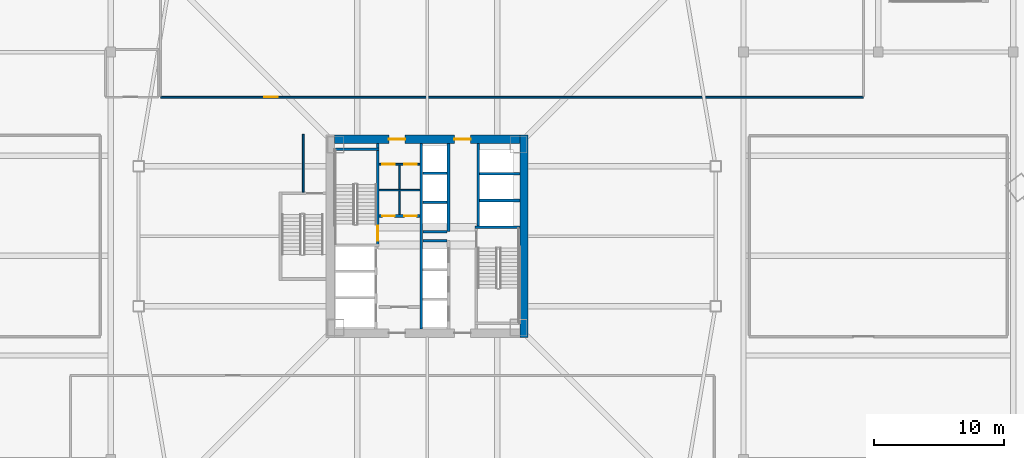
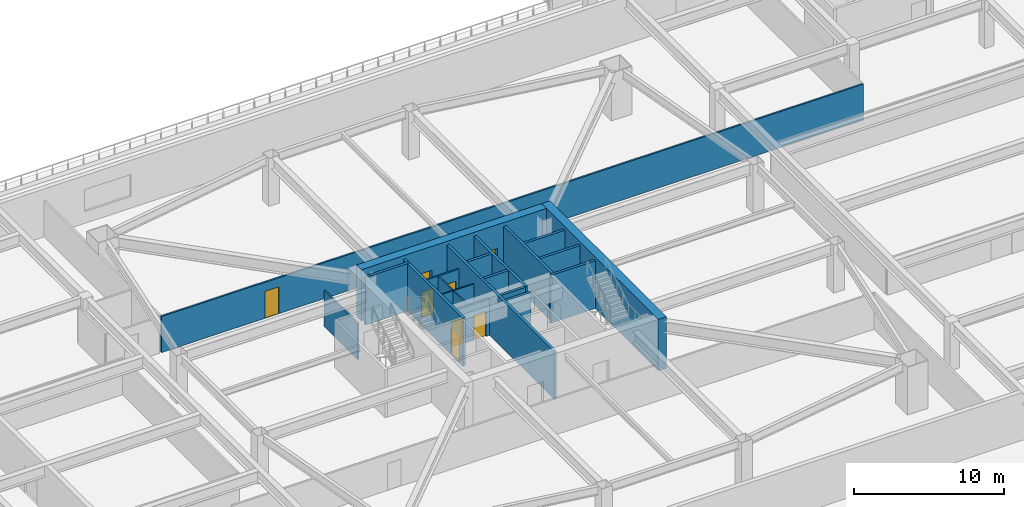
# One storey, part 6 of 20: 20 walls, 8 doors, 8 openings.
"""IFC4 building model written with IfcOpenShell, lengths in metres."""

from ifc_helpers import new_model, si_unit, direction, frame, frame_2d, origin, place, context, subcontext, project, spatial, rectangle, extrude, material, layer, layer_set, type_object, element, fill, save


model = new_model("IFC4")

# Units and contexts
model_context = context("Model", 3, precision=1e-05, world=origin(), true_north=direction((0.0, 1.0)))
body_context = subcontext(model_context, "Body", "Model", "MODEL_VIEW")
ifc_project = project(units=[si_unit("LENGTHUNIT", "METRE"), si_unit("AREAUNIT", "SQUARE_METRE"), si_unit("VOLUMEUNIT", "CUBIC_METRE"), si_unit("PLANEANGLEUNIT", "RADIAN"), si_unit("MASSUNIT", "GRAM", prefix="KILO")], contexts=[model_context])

# Site, building, storey
site_placement = place(None, origin())
site = spatial("IfcSite", under=ifc_project, at=site_placement, CompositionType="ELEMENT")
building_placement = place(site_placement, origin())
building = spatial("IfcBuilding", under=site, at=building_placement, Name="Tashvorn Skyway Center", CompositionType="ELEMENT")
storey_placement = place(building_placement, frame((0.0, 0.0, 15.60009765625)))
storey = spatial("IfcBuildingStorey", under=building, at=storey_placement, Name="L03", CompositionType="ELEMENT", Elevation=15.60009765625)

# Wall
ifc_material_1 = material(Name="Concrete C60/75", Category="concrete")
ifc_layer_1 = layer(ifc_material_1, 0.64990234375)
ifc_layer_set_1 = layer_set([ifc_layer_1], Name="Concrete C60/75")
wall_type_1 = type_object("IfcWallType", Name="WALL-CORE-650", PredefinedType="SHEAR", material=ifc_layer_set_1)
wall_1_placement = place(storey_placement, frame((49.47509765625, 39.800048828125, 0.0), z_axis=(0.0, 0.0, 1.0), x_axis=(0.0, -1.0, 0.0)))
element("IfcWall", 1, at=wall_1_placement, inside=storey, type_object=wall_type_1, Name="Tower 1 L03 East Core Shear Wall", PredefinedType="SHEAR", context=body_context, shape_type="SweptSolid", body=[
    extrude(rectangle(XDim=15.60009765625, YDim=0.64990234375, at=frame_2d((7.800048828125, 0.0))), origin(), (0.0, 0.0, 1.0), 4.199951171875),
])

# Wall, openings, doors
wall_2_placement = place(storey_placement, frame((34.85009765625, 39.47509765625, 0.0), z_axis=(0.0, 0.0, 1.0), x_axis=(1.0, 0.0, 0.0)))
wall_2 = element("IfcWall", 2, at=wall_2_placement, inside=storey, type_object=wall_type_1, Name="Tower 1 L03 North Core Shear Wall", PredefinedType="SHEAR", context=body_context, shape_type="SweptSolid", body=[
    extrude(rectangle(XDim=14.2998046875, YDim=0.64990234375, at=frame_2d((7.14990234375, 0.0))), origin(), (0.0, 0.0, 1.0), 4.199951171875),
])
opening_1_placement = place(wall_2_placement, frame((4.199951171875, 0.0, 0.0)))
opening_1 = element("IfcOpeningElement", 3, at=opening_1_placement, cuts=wall_2, Name="Opening D-FFL-1250", PredefinedType="OPENING", context=body_context, shape_type="SweptSolid", body=[
    extrude(rectangle(XDim=1.25, YDim=2.25, at=frame_2d((0.625, 1.125))), frame((0.0, 0.3349609375, 0.0), z_axis=(0.0, -1.0, 0.0), x_axis=(1.0, 0.0, 0.0)), (0.0, 0.0, 1.0), 0.669921875),
])
opening_2_placement = place(wall_2_placement, frame((9.25, 0.0, 0.0)))
opening_2 = element("IfcOpeningElement", 4, at=opening_2_placement, cuts=wall_2, Name="Opening D-FFL-1250", PredefinedType="OPENING", context=body_context, shape_type="SweptSolid", body=[
    extrude(rectangle(XDim=1.25, YDim=2.25, at=frame_2d((0.625, 1.125))), frame((0.0, 0.3349609375, 0.0), z_axis=(0.0, -1.0, 0.0), x_axis=(1.0, 0.0, 0.0)), (0.0, 0.0, 1.0), 0.669921875),
])
ifc_material_2 = material(Name="Hollow galvanized steel fire door assembly", Category="steel")
door_type_1 = type_object("IfcDoorType", Name="DOOR-FFL-1250", OperationType="NOTDEFINED", PredefinedType="DOOR", material=ifc_material_2)
door_1_placement = place(opening_1_placement, origin())
door_1 = element("IfcDoor", 5, at=door_1_placement, inside=storey, type_object=door_type_1, Name="Tower 1 L03 Core North Service Lobby Door", OperationType="SINGLE_SWING_LEFT", OverallHeight=2.25, OverallWidth=1.25, PredefinedType="DOOR", context=body_context, shape_type="SweptSolid", body=[
    extrude(rectangle(XDim=1.25, YDim=2.25, at=frame_2d((0.625, 1.125))), frame((0.0, 0.02490234375, 0.0), z_axis=(0.0, -1.0, 0.0), x_axis=(1.0, 0.0, 0.0)), (0.0, 0.0, 1.0), 0.050048828125),
])
fill(opening_1, door_1)
door_2_placement = place(opening_2_placement, origin())
door_2 = element("IfcDoor", 6, at=door_2_placement, inside=storey, type_object=door_type_1, Name="Tower 1 L03 Core North Lift Lobby Door", OperationType="SINGLE_SWING_RIGHT", OverallHeight=2.25, OverallWidth=1.25, PredefinedType="DOOR", context=body_context, shape_type="SweptSolid", body=[
    extrude(rectangle(XDim=1.25, YDim=2.25, at=frame_2d((0.625, 1.125))), frame((0.0, 0.02490234375, 0.0), z_axis=(0.0, -1.0, 0.0), x_axis=(1.0, 0.0, 0.0)), (0.0, 0.0, 1.0), 0.050048828125),
])
fill(opening_2, door_2)

ifc_material_3 = material(Name="Concrete C40/50", Category="concrete")
ifc_layer_2 = layer(ifc_material_3, 0.219970703125)
ifc_layer_set_2 = layer_set([ifc_layer_2], Name="Concrete C40/50")
wall_type_2 = type_object("IfcWallType", Name="WALL-FFL-220", PredefinedType="SOLIDWALL", material=ifc_layer_set_2)
wall_3_placement = place(storey_placement, frame((38.300048828125, 33.56005859375, 0.0), z_axis=(0.0, 0.0, 1.0), x_axis=(1.0, 0.0, 0.0)))
wall_3 = element("IfcWall", 7, at=wall_3_placement, inside=storey, type_object=wall_type_2, Name="Tower 1 L03 Firefighting Lobby North Wall", PredefinedType="SOLIDWALL", context=body_context, shape_type="SweptSolid", body=[
    extrude(rectangle(XDim=3.14990234375, YDim=0.219970703125, at=frame_2d((1.574951171875, 0.0))), origin(), (0.0, 0.0, 1.0), 2.94287109375),
])
opening_3_placement = place(wall_3_placement, frame((0.25, 0.0, 0.0)))
opening_3 = element("IfcOpeningElement", 8, at=opening_3_placement, cuts=wall_3, Name="Opening D-RT-950", PredefinedType="OPENING", context=body_context, shape_type="SweptSolid", body=[
    extrude(rectangle(XDim=0.949951171875, YDim=2.050048828125, at=frame_2d((0.47509765625, 1.02490234375))), frame((0.0, 0.119873046875, 0.0), z_axis=(0.0, -1.0, 0.0), x_axis=(1.0, 0.0, 0.0)), (0.0, 0.0, 1.0), 0.239990234375),
])
opening_4_placement = place(wall_3_placement, frame((1.949951171875, 0.0, 0.0)))
opening_4 = element("IfcOpeningElement", 9, at=opening_4_placement, cuts=wall_3, Name="Opening D-RT-950", PredefinedType="OPENING", context=body_context, shape_type="SweptSolid", body=[
    extrude(rectangle(XDim=0.949951171875, YDim=2.050048828125, at=frame_2d((0.47509765625, 1.02490234375))), frame((0.0, 0.119873046875, 0.0), z_axis=(0.0, -1.0, 0.0), x_axis=(1.0, 0.0, 0.0)), (0.0, 0.0, 1.0), 0.239990234375),
])
door_type_2 = type_object("IfcDoorType", Name="DOOR-RATED-950", OperationType="NOTDEFINED", PredefinedType="DOOR", material=ifc_material_2)
door_3_placement = place(opening_3_placement, origin())
door_3 = element("IfcDoor", 10, at=door_3_placement, inside=storey, type_object=door_type_2, Name="Tower 1 L03 Core Mail Room Door", OperationType="SINGLE_SWING_LEFT", OverallHeight=2.050048828125, OverallWidth=0.949951171875, PredefinedType="DOOR", context=body_context, shape_type="SweptSolid", body=[
    extrude(rectangle(XDim=0.949951171875, YDim=2.050048828125, at=frame_2d((0.47509765625, 1.02490234375))), frame((0.0, 0.02490234375, 0.0), z_axis=(0.0, -1.0, 0.0), x_axis=(1.0, 0.0, 0.0)), (0.0, 0.0, 1.0), 0.050048828125),
])
fill(opening_3, door_3)
door_4_placement = place(opening_4_placement, origin())
door_4 = element("IfcDoor", 11, at=door_4_placement, inside=storey, type_object=door_type_2, Name="Tower 1 L03 Core Supply Closet Door", OperationType="SINGLE_SWING_RIGHT", OverallHeight=2.050048828125, OverallWidth=0.949951171875, PredefinedType="DOOR", context=body_context, shape_type="SweptSolid", body=[
    extrude(rectangle(XDim=0.949951171875, YDim=2.050048828125, at=frame_2d((0.47509765625, 1.02490234375))), frame((0.0, 0.02490234375, 0.0), z_axis=(0.0, -1.0, 0.0), x_axis=(1.0, 0.0, 0.0)), (0.0, 0.0, 1.0), 0.050048828125),
])
fill(opening_4, door_4)

# Wall
ifc_material_4 = material(Name="Gypsum board on cold-formed steel stud framing", Category="steel")
ifc_layer_3 = layer(ifc_material_4, 0.135009765625)
ifc_layer_set_3 = layer_set([ifc_layer_3], Name="Gypsum board on cold-formed steel stud framing")
wall_type_3 = type_object("IfcWallType", Name="WALL-PART-135", PredefinedType="PARTITIONING", material=ifc_layer_set_3)
wall_4_placement = place(storey_placement, frame((32.449951171875, 35.39990234375, 0.0), z_axis=(0.0, 0.0, 1.0), x_axis=(0.0, 1.0, 0.0)))
element("IfcWall", 12, at=wall_4_placement, inside=storey, type_object=wall_type_3, Name="Tower 1 L03 Stair 3 Access Corridor Wall", PredefinedType="PARTITIONING", context=body_context, shape_type="SweptSolid", body=[
    extrude(rectangle(XDim=4.4501953125, YDim=0.135009765625, at=frame_2d((2.22509765625, 0.0))), origin(), (0.0, 0.0, 1.0), 2.94287109375),
])

# Wall, opening, door
wall_5_placement = place(storey_placement, frame((21.449951171875, 42.719970703125, 0.0), z_axis=(0.0, 0.0, 1.0), x_axis=(1.0, 0.0, 0.0)))
wall_5 = element("IfcWall", 13, at=wall_5_placement, inside=storey, type_object=wall_type_3, Name="L03 North Suite Wall", PredefinedType="PARTITIONING", context=body_context, shape_type="SweptSolid", body=[
    extrude(rectangle(XDim=54.199951171875, YDim=0.135009765625, at=frame_2d((27.10009765625, 0.0))), origin(), (0.0, 0.0, 1.0), 2.94287109375),
])
opening_5_placement = place(wall_5_placement, frame((8.0, 0.0, 0.0)))
opening_5 = element("IfcOpeningElement", 14, at=opening_5_placement, cuts=wall_5, Name="Opening D-ACC-1050", PredefinedType="OPENING", context=body_context, shape_type="SweptSolid", body=[
    extrude(rectangle(XDim=1.050048828125, YDim=2.199951171875, at=frame_2d((0.52490234375, 1.10009765625))), frame((0.0, 0.077392578125, 0.0), z_axis=(0.0, -1.0, 0.0), x_axis=(1.0, 0.0, 0.0)), (0.0, 0.0, 1.0), 0.155029296875),
])
ifc_material_5 = material(Name="Solid-core architectural oak veneer door")
door_type_3 = type_object("IfcDoorType", Name="DOOR-ACC-1050", OperationType="NOTDEFINED", PredefinedType="DOOR", material=ifc_material_5)
door_5_placement = place(opening_5_placement, origin())
door_5 = element("IfcDoor", 15, at=door_5_placement, inside=storey, type_object=door_type_3, Name="L03 Digital Media Studio Door", OperationType="SINGLE_SWING_RIGHT", OverallHeight=2.199951171875, OverallWidth=1.050048828125, PredefinedType="DOOR", context=body_context, shape_type="SweptSolid", body=[
    extrude(rectangle(XDim=1.050048828125, YDim=2.199951171875, at=frame_2d((0.52490234375, 1.10009765625))), frame((0.0, 0.02490234375, 0.0), z_axis=(0.0, -1.0, 0.0), x_axis=(1.0, 0.0, 0.0)), (0.0, 0.0, 1.0), 0.050048828125),
])
fill(opening_5, door_5)

# Walls
ifc_layer_4 = layer(ifc_material_4, 0.110107421875)
ifc_layer_set_4 = layer_set([ifc_layer_4], Name="Gypsum board on cold-formed steel stud framing")
wall_type_4 = type_object("IfcWallType", Name="WALL-RATED-110", PredefinedType="PARTITIONING", material=ifc_layer_set_4)
wall_6_placement = place(storey_placement, frame((39.8798828125, 33.679931640625, 0.0), z_axis=(0.0, 0.0, 1.0), x_axis=(0.0, 1.0, 0.0)))
element("IfcWall", 16, at=wall_6_placement, inside=storey, type_object=wall_type_4, Name="Tower 1 L03 Core Cross Vertical", PredefinedType="PARTITIONING", context=body_context, shape_type="SweptSolid", body=[
    extrude(rectangle(XDim=3.800048828125, YDim=0.110107421875, at=frame_2d((1.89990234375, 0.0))), origin(), (0.0, 0.0, 1.0), 2.94287109375),
])
wall_7_placement = place(storey_placement, frame((38.300048828125, 35.550048828125, 0.0), z_axis=(0.0, 0.0, 1.0), x_axis=(1.0, 0.0, 0.0)))
element("IfcWall", 17, at=wall_7_placement, inside=storey, type_object=wall_type_4, Name="Tower 1 L03 Core Cross Horizontal", PredefinedType="PARTITIONING", context=body_context, shape_type="SweptSolid", body=[
    extrude(rectangle(XDim=3.14990234375, YDim=0.110107421875, at=frame_2d((1.574951171875, 0.0))), origin(), (0.0, 0.0, 1.0), 2.94287109375),
])

# Wall, openings, doors
ifc_layer_5 = layer(ifc_material_4, 0.135009765625)
ifc_layer_set_5 = layer_set([ifc_layer_5], Name="Gypsum board on cold-formed steel stud framing")
wall_type_5 = type_object("IfcWallType", Name="WALL-RATED-135", PredefinedType="PARTITIONING", material=ifc_layer_set_5)
wall_8_placement = place(storey_placement, frame((38.300048828125, 37.550048828125, 0.0), z_axis=(0.0, 0.0, 1.0), x_axis=(1.0, 0.0, 0.0)))
wall_8 = element("IfcWall", 18, at=wall_8_placement, inside=storey, type_object=wall_type_5, Name="Tower 1 L03 Core Service Lobby Wall", PredefinedType="PARTITIONING", context=body_context, shape_type="SweptSolid", body=[
    extrude(rectangle(XDim=3.14990234375, YDim=0.135009765625, at=frame_2d((1.574951171875, 0.0))), origin(), (0.0, 0.0, 1.0), 2.94287109375),
])
opening_6_placement = place(wall_8_placement, frame((0.25, 0.0, 0.0)))
opening_6 = element("IfcOpeningElement", 19, at=opening_6_placement, cuts=wall_8, Name="Opening D-RT-950", PredefinedType="OPENING", context=body_context, shape_type="SweptSolid", body=[
    extrude(rectangle(XDim=0.949951171875, YDim=2.050048828125, at=frame_2d((0.47509765625, 1.02490234375))), frame((0.0, 0.077392578125, 0.0), z_axis=(0.0, -1.0, 0.0), x_axis=(1.0, 0.0, 0.0)), (0.0, 0.0, 1.0), 0.155029296875),
])
opening_7_placement = place(wall_8_placement, frame((1.949951171875, 0.0, 0.0)))
opening_7 = element("IfcOpeningElement", 20, at=opening_7_placement, cuts=wall_8, Name="Opening D-RT-950", PredefinedType="OPENING", context=body_context, shape_type="SweptSolid", body=[
    extrude(rectangle(XDim=0.949951171875, YDim=2.050048828125, at=frame_2d((0.47509765625, 1.02490234375))), frame((0.0, 0.077392578125, 0.0), z_axis=(0.0, -1.0, 0.0), x_axis=(1.0, 0.0, 0.0)), (0.0, 0.0, 1.0), 0.155029296875),
])
door_6_placement = place(opening_6_placement, origin())
door_6 = element("IfcDoor", 21, at=door_6_placement, inside=storey, type_object=door_type_2, Name="Tower 1 L03 Core Cleaner Store Door", OperationType="SINGLE_SWING_LEFT", OverallHeight=2.050048828125, OverallWidth=0.949951171875, PredefinedType="DOOR", context=body_context, shape_type="SweptSolid", body=[
    extrude(rectangle(XDim=0.949951171875, YDim=2.050048828125, at=frame_2d((0.47509765625, 1.02490234375))), frame((0.0, 0.02490234375, 0.0), z_axis=(0.0, -1.0, 0.0), x_axis=(1.0, 0.0, 0.0)), (0.0, 0.0, 1.0), 0.050048828125),
])
fill(opening_6, door_6)
door_7_placement = place(opening_7_placement, origin())
door_7 = element("IfcDoor", 22, at=door_7_placement, inside=storey, type_object=door_type_2, Name="Tower 1 L03 Core Accessible WC Door", OperationType="SINGLE_SWING_RIGHT", OverallHeight=2.050048828125, OverallWidth=0.949951171875, PredefinedType="DOOR", context=body_context, shape_type="SweptSolid", body=[
    extrude(rectangle(XDim=0.949951171875, YDim=2.050048828125, at=frame_2d((0.47509765625, 1.02490234375))), frame((0.0, 0.02490234375, 0.0), z_axis=(0.0, -1.0, 0.0), x_axis=(1.0, 0.0, 0.0)), (0.0, 0.0, 1.0), 0.050048828125),
])
fill(opening_7, door_7)

# Walls
ifc_layer_6 = layer(ifc_material_3, 0.199951171875)
ifc_layer_set_6 = layer_set([ifc_layer_6], Name="Concrete C40/50")
wall_type_6 = type_object("IfcWallType", Name="WALL-SHAFT-200", PredefinedType="SOLIDWALL", material=ifc_layer_set_6)
for number, where, z_axis, x_axis, name in (
    (23, (46.050048828125, 34.75, 0.0), (0.0, 0.0, 1.0), (1.0, 0.0, 0.0), "Tower 1 L03 High-Rise Shaft Divider"),
    (24, (46.050048828125, 36.800048828125, 0.0), (0.0, 0.0, 1.0), (1.0, 0.0, 0.0), "Tower 1 L03 High-Rise Shaft Divider"),
):
    element("IfcWall", number, at=place(storey_placement, frame(where, z_axis=z_axis, x_axis=x_axis)), inside=storey, type_object=wall_type_6, Name=name, PredefinedType="SOLIDWALL", context=body_context, shape_type="SweptSolid", body=[
        extrude(rectangle(XDim=3.099853515625, YDim=0.199951171875, at=frame_2d((1.5498046875, 0.0))), origin(), (0.0, 0.0, 1.0), 3.89990234375),
    ])
wall_9_placement = place(storey_placement, frame((41.669921875, 31.64990234375, 0.0), z_axis=(0.0, 0.0, 1.0), x_axis=(1.0, 0.0, 0.0)))
element("IfcWall", 25, at=wall_9_placement, inside=storey, type_object=wall_type_6, Name="Tower 1 L03 Low-Rise Shaft Divider", PredefinedType="SOLIDWALL", context=body_context, shape_type="SweptSolid", body=[
    extrude(rectangle(XDim=1.880126953125, YDim=0.199951171875, at=frame_2d((0.93994140625, 0.0))), origin(), (0.0, 0.0, 1.0), 3.89990234375),
])
wall_10_placement = place(storey_placement, frame((43.64990234375, 32.35009765625, 0.0), z_axis=(0.0, 0.0, 1.0), x_axis=(0.0, 1.0, 0.0)))
element("IfcWall", 26, at=wall_10_placement, inside=storey, type_object=wall_type_6, Name="Tower 1 L03 Mid-Rise Core Wall", PredefinedType="SOLIDWALL", context=body_context, shape_type="SweptSolid", body=[
    extrude(rectangle(XDim=6.7998046875, YDim=0.199951171875, at=frame_2d((3.39990234375, 0.0))), origin(), (0.0, 0.0, 1.0), 3.89990234375),
])
for number, where, z_axis, x_axis, name in (
    (27, (41.669921875, 32.35009765625, 0.0), (0.0, 0.0, 1.0), (1.0, 0.0, 0.0), "Tower 1 L03 Mid-Rise Shaft Divider"),
    (28, (41.669921875, 34.60009765625, 0.0), (0.0, 0.0, 1.0), (1.0, 0.0, 0.0), "Tower 1 L03 Mid-Rise Shaft Divider"),
    (29, (41.669921875, 36.85009765625, 0.0), (0.0, 0.0, 1.0), (1.0, 0.0, 0.0), "Tower 1 L03 Mid-Rise Shaft Divider"),
):
    element("IfcWall", number, at=place(storey_placement, frame(where, z_axis=z_axis, x_axis=x_axis)), inside=storey, type_object=wall_type_6, Name=name, PredefinedType="SOLIDWALL", context=body_context, shape_type="SweptSolid", body=[
        extrude(rectangle(XDim=1.880126953125, YDim=0.199951171875, at=frame_2d((0.93994140625, 0.0))), origin(), (0.0, 0.0, 1.0), 3.89990234375),
    ])

# Wall, opening, door
ifc_layer_7 = layer(ifc_material_3, 0.199951171875)
ifc_layer_set_7 = layer_set([ifc_layer_7], Name="Concrete C40/50")
wall_type_7 = type_object("IfcWallType", Name="WALL-STSHF-200", PredefinedType="SHEAR", material=ifc_layer_set_7)
wall_11_placement = place(storey_placement, frame((38.199951171875, 31.199951171875, 0.0), z_axis=(0.0, 0.0, 1.0), x_axis=(0.0, 1.0, 0.0)))
wall_11 = element("IfcWall", 30, at=wall_11_placement, inside=storey, type_object=wall_type_7, Name="Tower 1 L03 Stair 1 Enclosure Wall", PredefinedType="SHEAR", context=body_context, shape_type="SweptSolid", body=[
    extrude(rectangle(XDim=7.949951171875, YDim=0.199951171875, at=frame_2d((3.97509765625, 0.0))), origin(), (0.0, 0.0, 1.0), 3.89990234375),
])
opening_8_placement = place(wall_11_placement, frame((0.449951171875, 0.0, 0.0)))
opening_8 = element("IfcOpeningElement", 31, at=opening_8_placement, cuts=wall_11, Name="Opening D-ST-1150", PredefinedType="OPENING", context=body_context, shape_type="SweptSolid", body=[
    extrude(rectangle(XDim=1.14990234375, YDim=2.199951171875, at=frame_2d((0.574951171875, 1.10009765625))), frame((0.0, 0.10986328125, 0.0), z_axis=(0.0, -1.0, 0.0), x_axis=(1.0, 0.0, 0.0)), (0.0, 0.0, 1.0), 0.219970703125),
])
door_type_4 = type_object("IfcDoorType", Name="DOOR-STAIR-1150", OperationType="NOTDEFINED", PredefinedType="DOOR", material=ifc_material_2)
door_8_placement = place(opening_8_placement, origin())
door_8 = element("IfcDoor", 32, at=door_8_placement, inside=storey, type_object=door_type_4, Name="Tower 1 L03 Exit Stair 1 Door", OperationType="SINGLE_SWING_RIGHT", OverallHeight=2.199951171875, OverallWidth=1.14990234375, PredefinedType="DOOR", context=body_context, shape_type="SweptSolid", body=[
    extrude(rectangle(XDim=1.14990234375, YDim=2.199951171875, at=frame_2d((0.574951171875, 1.10009765625))), frame((0.0, 0.02490234375, 0.0), z_axis=(0.0, -1.0, 0.0), x_axis=(1.0, 0.0, 0.0)), (0.0, 0.0, 1.0), 0.050048828125),
])
fill(opening_8, door_8)

# Walls
for number, where, z_axis, x_axis, name in (
    (33, (34.85009765625, 38.699951171875, 0.0), (0.0, 0.0, 1.0), (1.0, 0.0, 0.0), "Tower 1 L03 Stair 1 North Wall"),
    (34, (45.699951171875, 32.699951171875, 0.0), (0.0, 0.0, 1.0), (1.0, 0.0, 0.0), "Tower 1 L03 Stair 2 North Wall"),
):
    element("IfcWall", number, at=place(storey_placement, frame(where, z_axis=z_axis, x_axis=x_axis)), inside=storey, type_object=wall_type_7, Name=name, PredefinedType="SHEAR", context=body_context, shape_type="SweptSolid", body=[
        extrude(rectangle(XDim=3.449951171875, YDim=0.199951171875, at=frame_2d((1.72509765625, 0.0))), origin(), (0.0, 0.0, 1.0), 3.89990234375),
    ])
wall_12_placement = place(storey_placement, frame((41.56005859375, 24.85009765625, 0.0), z_axis=(0.0, 0.0, 1.0), x_axis=(0.0, 1.0, 0.0)))
element("IfcWall", 35, at=wall_12_placement, inside=storey, type_object=wall_type_7, Name="Tower 1 L03 Firefighting Lobby East Smoke Barrier", PredefinedType="SHEAR", context=body_context, shape_type="SweptSolid", body=[
    extrude(rectangle(XDim=14.2998046875, YDim=0.199951171875, at=frame_2d((7.14990234375, 0.0))), origin(), (0.0, 0.0, 1.0), 3.89990234375),
])
wall_13_placement = place(storey_placement, frame((45.949951171875, 39.14990234375, 0.0), z_axis=(0.0, 0.0, 1.0), x_axis=(0.0, -1.0, 0.0)))
element("IfcWall", 36, at=wall_13_placement, inside=storey, type_object=wall_type_7, Name="Tower 1 L03 High-Rise Lift Shaft Front Wall", PredefinedType="SHEAR", context=body_context, shape_type="SweptSolid", body=[
    extrude(rectangle(XDim=6.349853515625, YDim=0.199951171875, at=frame_2d((3.1748046875, 0.0))), origin(), (0.0, 0.0, 1.0), 3.89990234375),
])

save(model, "model.ifc")
